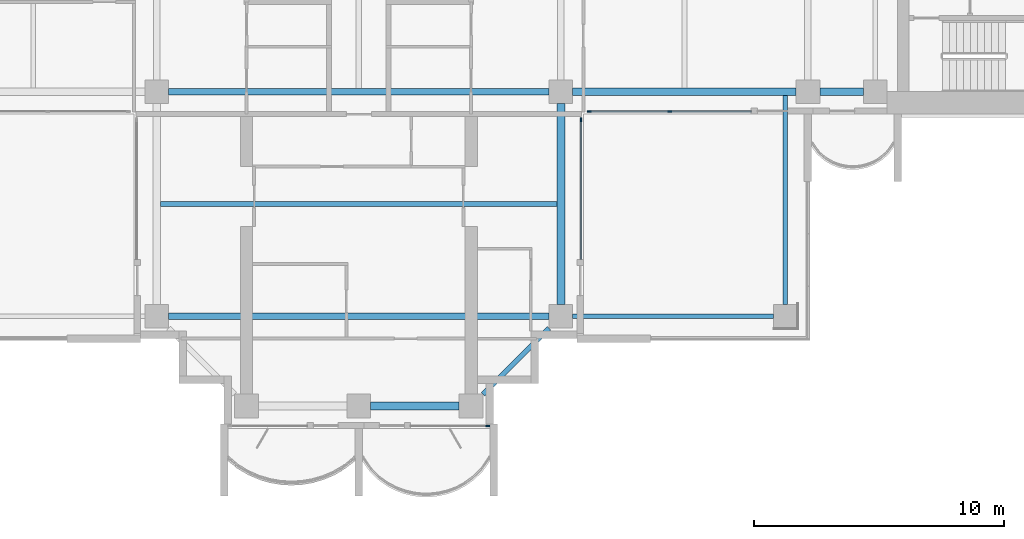
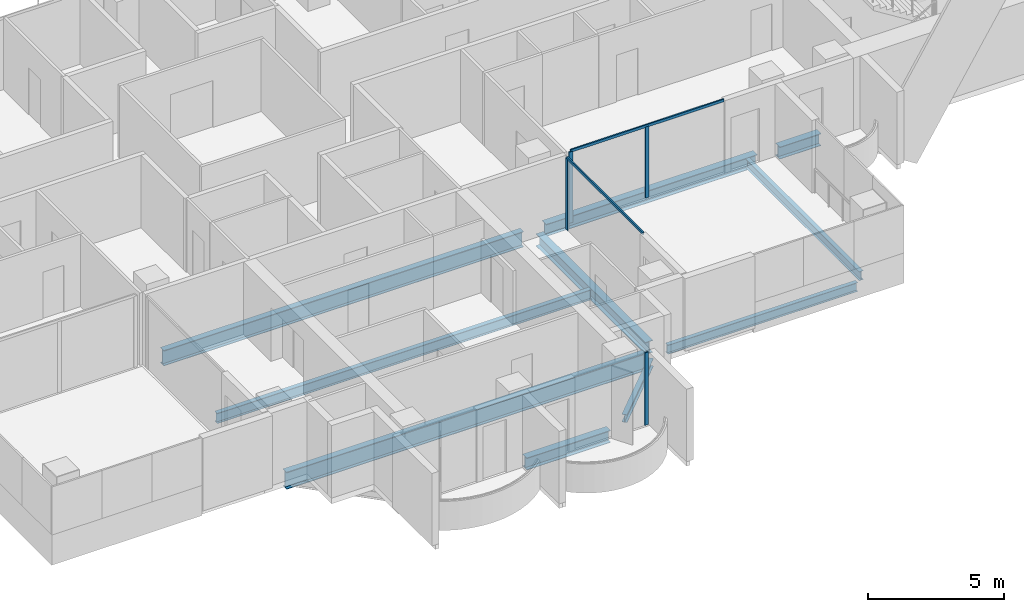
# One storey, part 3 of 17: 10 beams, 6 members, 3 elements without a shape of their own.
"""IFC4 building model written with IfcOpenShell, lengths in metres."""

from ifc_helpers import new_model, si_unit, direction, frame, origin, origin_2d, place, context, subcontext, project, spatial, rectangle, i_section, extrude, material, material_profile, profile_set, type_object, element, aggregate, save


model = new_model("IFC4")

# Units and contexts
model_context = context("Model", 3, precision=1e-05, world=origin(), true_north=direction((0.0, 1.0)))
body_context = subcontext(model_context, "Body", "Model", "MODEL_VIEW")
ifc_project = project(units=[si_unit("LENGTHUNIT", "METRE"), si_unit("AREAUNIT", "SQUARE_METRE"), si_unit("VOLUMEUNIT", "CUBIC_METRE"), si_unit("PLANEANGLEUNIT", "RADIAN"), si_unit("MASSUNIT", "GRAM", prefix="KILO")], contexts=[model_context])

# Site, building, storey
site_placement = place(None, origin())
site = spatial("IfcSite", under=ifc_project, at=site_placement, CompositionType="ELEMENT")
building_placement = place(site_placement, origin())
building = spatial("IfcBuilding", under=site, at=building_placement, Name="Perihelion Cross Residences", CompositionType="ELEMENT")
storey_placement = place(building_placement, frame((0.0, 0.0, 187.60009765625)))
storey = spatial("IfcBuildingStorey", under=building, at=storey_placement, Name="L46", CompositionType="ELEMENT", Elevation=187.60009765625)

# Curtain wall, member
ifc_material_1 = material(Name="Bronze anodised aluminium, tinted glazing", Category="aluminium")
curtain_wall_type = type_object("IfcCurtainWallType", Name="CW1", PredefinedType="NOTDEFINED", material=ifc_material_1)
curtain_wall_1_placement = place(storey_placement, origin())
curtain_wall_1 = element("IfcCurtainWall", 1, at=curtain_wall_1_placement, inside=storey, type_object=curtain_wall_type, Name="Curtain wall CW1 L46 south tip south bay 2", PredefinedType="NOTDEFINED")
ifc_material_2 = material(Name="Bronze anodised aluminium", Category="aluminium")
ifc_material_profile_1 = material_profile(ifc_material_2, rectangle(XDim=0.06005859375, YDim=0.159912109375, at=origin_2d()), Name="CW1 mullion")
ifc_profile_set_1 = profile_set([ifc_material_profile_1], Name="Bronze anodised aluminium")
member_type_1 = type_object("IfcMemberType", Name="CW1 mullion", PredefinedType="MULLION", material=ifc_profile_set_1)
member_1_placement = place(storey_placement, frame((5.169921875, -21.5, 0.0), z_axis=(0.0, 0.0, 1.0), x_axis=(0.0, 1.0, 0.0)))
member_1 = element("IfcMember", 2, at=member_1_placement, type_object=member_type_1, Name="CW1 mullion 2", PredefinedType="MULLION", context=body_context, shape_type="SweptSolid", body=[
    extrude(rectangle(XDim=0.06005859375, YDim=0.159912109375, at=origin_2d()), origin(), (0.0, 0.0, 1.0), 3.25),
])
aggregate(curtain_wall_1, [member_1])

curtain_wall_2_placement = place(storey_placement, origin())
curtain_wall_2 = element("IfcCurtainWall", 3, at=curtain_wall_2_placement, inside=storey, type_object=curtain_wall_type, Name="Curtain wall CW1 L46 south side east bay 1", PredefinedType="NOTDEFINED")
member_2_placement = place(storey_placement, frame((8.89990234375, -9.22998046875, 0.0), z_axis=(0.0, 0.0, 1.0), x_axis=(-1.0, 0.0, 0.0)))
member_2 = element("IfcMember", 4, at=member_2_placement, type_object=member_type_1, Name="CW1 mullion 2", PredefinedType="MULLION", context=body_context, shape_type="SweptSolid", body=[
    extrude(rectangle(XDim=0.06005859375, YDim=0.159912109375, at=origin_2d()), origin(), (0.0, 0.0, 1.0), 3.18994140625),
])

# Curtain wall, members
curtain_wall_3_placement = place(storey_placement, origin())
curtain_wall_3 = element("IfcCurtainWall", 5, at=curtain_wall_3_placement, inside=storey, type_object=curtain_wall_type, Name="Curtain wall CW1 L46 east side south bay 1", PredefinedType="NOTDEFINED")
member_3_placement = place(storey_placement, frame((9.22998046875, -8.89990234375, 0.0), z_axis=(0.0, 0.0, 1.0), x_axis=(0.0, 1.0, 0.0)))
member_3 = element("IfcMember", 6, at=member_3_placement, type_object=member_type_1, Name="CW1 mullion 1", PredefinedType="MULLION", context=body_context, shape_type="SweptSolid", body=[
    extrude(rectangle(XDim=0.06005859375, YDim=0.159912109375, at=origin_2d()), origin(), (0.0, 0.0, 1.0), 3.18994140625),
])
member_4_placement = place(storey_placement, frame((12.46240234375, -8.89990234375, 0.0), z_axis=(0.0, 0.0, 1.0), x_axis=(0.0, 1.0, 0.0)))
member_4 = element("IfcMember", 7, at=member_4_placement, type_object=member_type_1, Name="CW1 mullion 2", PredefinedType="MULLION", context=body_context, shape_type="SweptSolid", body=[
    extrude(rectangle(XDim=0.06005859375, YDim=0.159912109375, at=origin_2d()), origin(), (0.0, 0.0, 1.0), 3.18994140625),
])

# Member
ifc_material_3 = material(Name="Bronze anodised aluminium", Category="aluminium")
ifc_material_profile_2 = material_profile(ifc_material_3, rectangle(XDim=0.06005859375, YDim=0.1201171875, at=origin_2d()), Name="CW1 transom")
ifc_profile_set_2 = profile_set([ifc_material_profile_2], Name="Bronze anodised aluminium")
member_type_2 = type_object("IfcMemberType", Name="CW1 transom", PredefinedType="USERDEFINED", material=ifc_profile_set_2)
member_5_placement = place(storey_placement, frame((8.89990234375, -14.824951171875, 3.219970703125), z_axis=(0.0, 1.0, 0.0), x_axis=(-1.0, 0.0, 0.0)))
member_5 = element("IfcMember", 8, at=member_5_placement, type_object=member_type_2, Name="CW1 head transom", ObjectType="TRANSOM", PredefinedType="USERDEFINED", context=body_context, shape_type="SweptSolid", body=[
    extrude(rectangle(XDim=0.06005859375, YDim=0.1201171875, at=origin_2d()), origin(), (0.0, 0.0, 1.0), 5.594970703125),
])

aggregate(curtain_wall_2, [member_2, member_5])

member_6_placement = place(storey_placement, frame((9.22998046875, -8.89990234375, 3.219970703125), z_axis=(1.0, 0.0, 0.0), x_axis=(0.0, 1.0, 0.0)))
member_6 = element("IfcMember", 9, at=member_6_placement, type_object=member_type_2, Name="CW1 head transom", ObjectType="TRANSOM", PredefinedType="USERDEFINED", context=body_context, shape_type="SweptSolid", body=[
    extrude(rectangle(XDim=0.06005859375, YDim=0.1201171875, at=origin_2d()), origin(), (0.0, 0.0, 1.0), 6.4951171875),
])

aggregate(curtain_wall_3, [member_3, member_4, member_6])

# Beams
ifc_material_4 = material(Name="Steel S355", Category="steel")
ifc_material_profile_3 = material_profile(ifc_material_4, i_section(OverallWidth=0.177978515625, OverallDepth=0.406005859375, WebThickness=0.0078125, FlangeThickness=0.0126953125, at=origin_2d()), Name="W410x60")
ifc_profile_set_3 = profile_set([ifc_material_profile_3], Name="Steel S355")
beam_type_1 = type_object("IfcBeamType", Name="Core edge beam W410x60", PredefinedType="BEAM", material=ifc_profile_set_3)
beam_1_placement = place(storey_placement, frame((17.10009765625, -8.256103515625, -0.453125), z_axis=(0.0, -1.0, 0.0), x_axis=(1.0, 0.0, 0.0)))
element("IfcBeam", 10, at=beam_1_placement, inside=storey, type_object=beam_type_1, Name="Core edge beam TB2 L46 corner no. 3", PredefinedType="BEAM", context=body_context, shape_type="SweptSolid", body=[
    extrude(i_section(OverallWidth=0.177978515625, OverallDepth=0.406005859375, WebThickness=0.0078125, FlangeThickness=0.0126953125, at=origin_2d()), origin(), (0.0, 0.0, 1.0), 8.368896484375),
])
beam_2_placement = place(storey_placement, frame((8.574951171875, -17.10009765625, -0.453125), z_axis=(1.0, 0.0, 0.0), x_axis=(0.0, 1.0, 0.0)))
element("IfcBeam", 11, at=beam_2_placement, inside=storey, type_object=beam_type_1, Name="Core edge beam TB2 L46 corner no. 4", PredefinedType="BEAM", context=body_context, shape_type="SweptSolid", body=[
    extrude(i_section(OverallWidth=0.177978515625, OverallDepth=0.406005859375, WebThickness=0.0078125, FlangeThickness=0.0126953125, at=origin_2d()), origin(), (0.0, 0.0, 1.0), 8.050048828125),
])
ifc_material_5 = material(Name="Steel S355", Category="steel")
ifc_material_profile_4 = material_profile(ifc_material_5, i_section(OverallWidth=0.31201171875, OverallDepth=0.5439453125, WebThickness=0.0126953125, FlangeThickness=0.020263671875, at=origin_2d()), Name="W530x150")
ifc_profile_set_4 = profile_set([ifc_material_profile_4], Name="Steel S355")
beam_type_2 = type_object("IfcBeamType", Name="Edge beam W530x150", PredefinedType="SPANDREL", material=ifc_profile_set_4)
beam_3_placement = place(storey_placement, frame((0.47509765625, -20.699951171875, -0.522216796875), z_axis=(1.0, 0.0, 0.0), x_axis=(0.0, 1.0, 0.0)))
element("IfcBeam", 12, at=beam_3_placement, inside=storey, type_object=beam_type_2, Name="Edge beam SB4 L46 no. 7", PredefinedType="SPANDREL", context=body_context, shape_type="SweptSolid", body=[
    extrude(i_section(OverallWidth=0.31201171875, OverallDepth=0.5439453125, WebThickness=0.0126953125, FlangeThickness=0.020263671875, at=origin_2d()), origin(), (0.0, 0.0, 1.0), 3.5498046875),
])
beam_4_placement = place(storey_placement, frame((8.10009765625, -16.625, -0.522216796875), z_axis=(0.0, 1.0, 0.0), x_axis=(-1.0, 0.0, 0.0)))
element("IfcBeam", 13, at=beam_4_placement, inside=storey, type_object=beam_type_2, Name="Edge beam SB4 L46 no. 11", PredefinedType="SPANDREL", context=body_context, shape_type="SweptSolid", body=[
    extrude(i_section(OverallWidth=0.31201171875, OverallDepth=0.5439453125, WebThickness=0.0126953125, FlangeThickness=0.020263671875, at=origin_2d()), origin(), (0.0, 0.0, 1.0), 8.050048828125),
])
beam_5_placement = place(storey_placement, frame((8.574951171875, -8.10009765625, -0.522216796875), z_axis=(1.0, 0.0, 0.0), x_axis=(0.0, 1.0, 0.0)))
element("IfcBeam", 14, at=beam_5_placement, inside=storey, type_object=beam_type_2, Name="Edge beam SB4 L46 no. 12", PredefinedType="SPANDREL", context=body_context, shape_type="SweptSolid", body=[
    extrude(i_section(OverallWidth=0.31201171875, OverallDepth=0.5439453125, WebThickness=0.0126953125, FlangeThickness=0.020263671875, at=origin_2d()), origin(), (0.0, 0.0, 1.0), 8.949951171875),
])
beam_6_placement = place(storey_placement, frame((18.47509765625, -8.10009765625, -0.522216796875), z_axis=(1.0, 0.0, 0.0), x_axis=(0.0, 1.0, 0.0)))
element("IfcBeam", 15, at=beam_6_placement, inside=storey, type_object=beam_type_2, Name="Edge beam SB4 L46 no. 8", PredefinedType="SPANDREL", context=body_context, shape_type="SweptSolid", body=[
    extrude(i_section(OverallWidth=0.31201171875, OverallDepth=0.5439453125, WebThickness=0.0126953125, FlangeThickness=0.020263671875, at=origin_2d()), origin(), (0.0, 0.0, 1.0), 1.75),
])
ifc_material_6 = material(Name="Steel S355", Category="steel")
ifc_material_profile_5 = material_profile(ifc_material_6, i_section(OverallWidth=0.26708984375, OverallDepth=0.77001953125, WebThickness=0.015625, FlangeThickness=0.025390625, at=origin_2d()), Name="W760x196")
ifc_profile_set_5 = profile_set([ifc_material_profile_5], Name="Steel S355")
beam_type_3 = type_object("IfcBeamType", Name="Floor girder W760x196", PredefinedType="BEAM", material=ifc_profile_set_5)
beam_7_placement = place(storey_placement, frame((-7.625, -17.10009765625, -0.635009765625), z_axis=(1.0, 0.0, 0.0), x_axis=(0.0, 1.0, 0.0)))
element("IfcBeam", 16, at=beam_7_placement, inside=storey, type_object=beam_type_3, Name="Girder G4 L46 no. 3", PredefinedType="BEAM", context=body_context, shape_type="SweptSolid", body=[
    extrude(i_section(OverallWidth=0.26708984375, OverallDepth=0.77001953125, WebThickness=0.015625, FlangeThickness=0.025390625, at=origin_2d()), origin(), (0.0, 0.0, 1.0), 15.25),
])
ifc_material_7 = material(Name="Steel S355", Category="steel")
ifc_material_profile_6 = material_profile(ifc_material_7, i_section(OverallWidth=0.19091796875, OverallDepth=0.45703125, WebThickness=0.009033203125, FlangeThickness=0.014404296875, at=origin_2d()), Name="W460x74")
ifc_profile_set_6 = profile_set([ifc_material_profile_6], Name="Steel S355")
beam_type_4 = type_object("IfcBeamType", Name="Floor joist W460x74", PredefinedType="JOIST", material=ifc_profile_set_6)
beam_8_placement = place(storey_placement, frame((-7.944091796875, -12.60009765625, -0.478515625), z_axis=(1.0, 0.0, 0.0), x_axis=(0.0, 1.0, 0.0)))
element("IfcBeam", 17, at=beam_8_placement, inside=storey, type_object=beam_type_4, Name="Joist J5 L46 no. 3", PredefinedType="JOIST", context=body_context, shape_type="SweptSolid", body=[
    extrude(i_section(OverallWidth=0.19091796875, OverallDepth=0.45703125, WebThickness=0.009033203125, FlangeThickness=0.014404296875, at=origin_2d()), origin(), (0.0, 0.0, 1.0), 15.88818359375),
])
ifc_material_8 = material(Name="Steel S355", Category="steel")
ifc_material_profile_7 = material_profile(ifc_material_8, i_section(OverallWidth=0.257080078125, OverallDepth=0.693115234375, WebThickness=0.014404296875, FlangeThickness=0.023681640625, at=origin_2d()), Name="W690x170")
ifc_profile_set_7 = profile_set([ifc_material_profile_7], Name="Steel S355")
beam_type_5 = type_object("IfcBeamType", Name="Hub ring girder W690x170", PredefinedType="BEAM", material=ifc_profile_set_7)
beam_9_placement = place(storey_placement, frame((-7.625, -8.10009765625, -0.5966796875), z_axis=(1.0, 0.0, 0.0), x_axis=(0.0, 1.0, 0.0)))
element("IfcBeam", 18, at=beam_9_placement, inside=storey, type_object=beam_type_5, Name="Hub ring girder RG4 L46 no. 1", PredefinedType="BEAM", context=body_context, shape_type="SweptSolid", body=[
    extrude(i_section(OverallWidth=0.257080078125, OverallDepth=0.693115234375, WebThickness=0.014404296875, FlangeThickness=0.023681640625, at=origin_2d()), origin(), (0.0, 0.0, 1.0), 15.25),
])
ifc_material_9 = material(Name="Steel S355", Category="steel")
ifc_material_profile_8 = material_profile(ifc_material_9, i_section(OverallWidth=0.205078125, OverallDepth=0.35302734375, WebThickness=0.009521484375, FlangeThickness=0.016845703125, at=origin_2d()), Name="W360x79")
ifc_profile_set_8 = profile_set([ifc_material_profile_8], Name="Steel S355")
beam_type_6 = type_object("IfcBeamType", Name="Serration edge beam W360x79", PredefinedType="BEAM", material=ifc_profile_set_8)
beam_10_placement = place(storey_placement, frame((4.97509765625, -20.22509765625, -0.426513671875), z_axis=(0.70707420838, 0.707139352493, 0.0), x_axis=(-0.707139352493, 0.70707420838, 0.0)))
element("IfcBeam", 19, at=beam_10_placement, inside=storey, type_object=beam_type_6, Name="Serration edge beam EB4 L46 no. 2", PredefinedType="BEAM", context=body_context, shape_type="SweptSolid", body=[
    extrude(i_section(OverallWidth=0.205078125, OverallDepth=0.35302734375, WebThickness=0.009521484375, FlangeThickness=0.016845703125, at=origin_2d()), origin(), (0.0, 0.0, 1.0), 3.747802734375),
])

save(model, "model.ifc")
